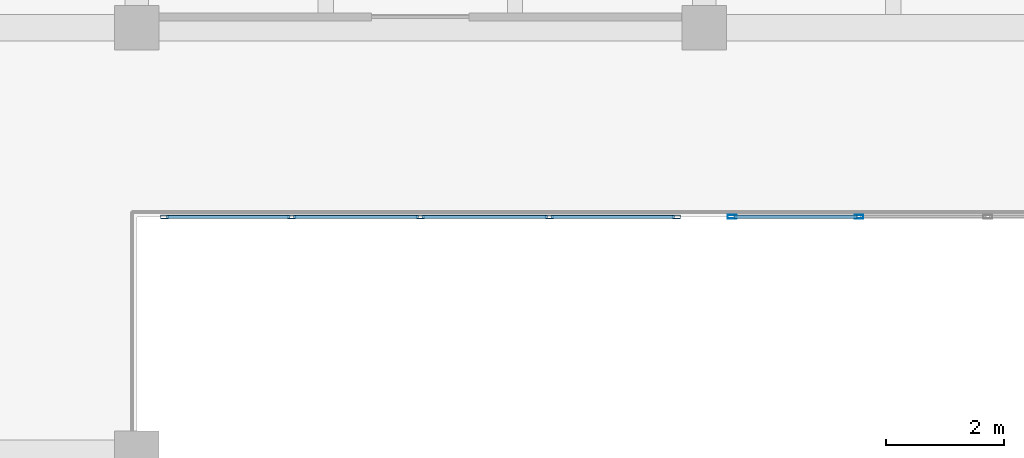
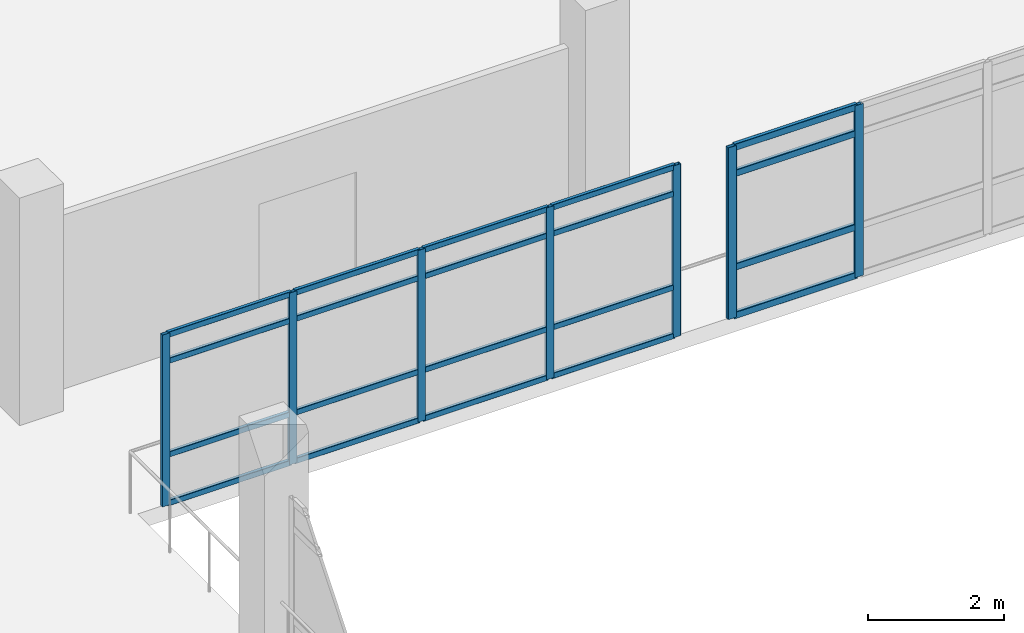
# One storey, part 97 of 180: 27 members, 2 elements without a shape of their own.
"""IFC4 building model written with IfcOpenShell, lengths in metres."""

from ifc_helpers import new_model, si_unit, direction, frame, origin, origin_2d, place, context, subcontext, project, spatial, hollow_rectangle, extrude, material, layer, layer_set, material_profile, profile_set, type_object, element, aggregate, save


model = new_model("IFC4")

# Units and contexts
model_context = context("Model", 3, precision=1e-05, world=origin(), true_north=direction((0.0, 1.0)))
body_context = subcontext(model_context, "Body", "Model", "MODEL_VIEW")
ifc_project = project(units=[si_unit("LENGTHUNIT", "METRE"), si_unit("AREAUNIT", "SQUARE_METRE"), si_unit("VOLUMEUNIT", "CUBIC_METRE"), si_unit("PLANEANGLEUNIT", "RADIAN"), si_unit("MASSUNIT", "GRAM", prefix="KILO")], contexts=[model_context])

# Site, building, storey
site_placement = place(None, origin())
site = spatial("IfcSite", under=ifc_project, at=site_placement, CompositionType="ELEMENT")
building_placement = place(site_placement, origin())
building = spatial("IfcBuilding", under=site, at=building_placement, Name="Asteropetra Specialist Clinic", CompositionType="ELEMENT")
storey_placement = place(building_placement, frame((0.0, 0.0, 4.419921875)))
storey = spatial("IfcBuildingStorey", under=building, at=storey_placement, Name="L01", CompositionType="ELEMENT", Elevation=4.419921875)

# Curtain wall, members
ifc_material_1 = material(Name="Aluminium and low-E glass", Category="aluminium")
ifc_layer_1 = layer(ifc_material_1, 0.179931640625)
ifc_layer_set_1 = layer_set([ifc_layer_1], Name="Aluminium and low-E glass")
curtain_wall_type_1 = type_object("IfcCurtainWallType", Name="CW-SYS-04", PredefinedType="USERDEFINED", material=ifc_layer_set_1)
curtain_wall_1_placement = place(storey_placement, origin())
curtain_wall_1 = element("IfcCurtainWall", 1, at=curtain_wall_1_placement, inside=storey, type_object=curtain_wall_type_1, Name="Curtain Wall CW-026", ObjectType="UNITISED CURTAIN WALL", PredefinedType="USERDEFINED")
ifc_material_2 = material(Name="Aluminium 6063-T6", Category="aluminium")
ifc_material_profile_1 = material_profile(ifc_material_2, hollow_rectangle(XDim=0.06005859375, YDim=0.135009765625, WallThickness=0.00341796875, InnerFilletRadius=0.00341796875, OuterFilletRadius=0.007080078125, at=origin_2d()), Name="MUL 135x60x3.5")
ifc_profile_set_1 = profile_set([ifc_material_profile_1], Name="Aluminium 6063-T6")
member_type_1 = type_object("IfcMemberType", Name="CWM-135x60", PredefinedType="MULLION", material=ifc_profile_set_1)
member_1_placement = place(storey_placement, frame((57.1298828125, 95.199951171875, 0.0), z_axis=(0.0, 0.0, 1.0), x_axis=(0.0, -1.0, 0.0)))
member_1 = element("IfcMember", 2, at=member_1_placement, type_object=member_type_1, Name="CW-026 mullion 1", PredefinedType="MULLION", context=body_context, shape_type="SweptSolid", body=[
    extrude(hollow_rectangle(XDim=0.06005859375, YDim=0.135009765625, WallThickness=0.00341796875, InnerFilletRadius=0.00341796875, OuterFilletRadius=0.007080078125, at=origin_2d()), origin(), (0.0, 0.0, 1.0), 3.080078125),
])
member_2_placement = place(storey_placement, frame((54.97998046875, 95.199951171875, 0.0), z_axis=(0.0, 0.0, 1.0), x_axis=(0.0, -1.0, 0.0)))
member_2 = element("IfcMember", 3, at=member_2_placement, type_object=member_type_1, Name="CW-026 mullion 2", PredefinedType="MULLION", context=body_context, shape_type="SweptSolid", body=[
    extrude(hollow_rectangle(XDim=0.06005859375, YDim=0.135009765625, WallThickness=0.00341796875, InnerFilletRadius=0.00341796875, OuterFilletRadius=0.007080078125, at=origin_2d()), origin(), (0.0, 0.0, 1.0), 3.080078125),
])
member_3_placement = place(storey_placement, frame((52.800048828125, 95.199951171875, 0.0), z_axis=(0.0, 0.0, 1.0), x_axis=(0.0, -1.0, 0.0)))
member_3 = element("IfcMember", 4, at=member_3_placement, type_object=member_type_1, Name="CW-026 mullion 3", PredefinedType="MULLION", context=body_context, shape_type="SweptSolid", body=[
    extrude(hollow_rectangle(XDim=0.06005859375, YDim=0.135009765625, WallThickness=0.00341796875, InnerFilletRadius=0.00341796875, OuterFilletRadius=0.007080078125, at=origin_2d()), origin(), (0.0, 0.0, 1.0), 3.080078125),
])
member_4_placement = place(storey_placement, frame((50.6201171875, 95.199951171875, 0.0), z_axis=(0.0, 0.0, 1.0), x_axis=(0.0, -1.0, 0.0)))
member_4 = element("IfcMember", 5, at=member_4_placement, type_object=member_type_1, Name="CW-026 mullion 4", PredefinedType="MULLION", context=body_context, shape_type="SweptSolid", body=[
    extrude(hollow_rectangle(XDim=0.06005859375, YDim=0.135009765625, WallThickness=0.00341796875, InnerFilletRadius=0.00341796875, OuterFilletRadius=0.007080078125, at=origin_2d()), origin(), (0.0, 0.0, 1.0), 3.080078125),
])
member_5_placement = place(storey_placement, frame((48.469970703125, 95.199951171875, 0.0), z_axis=(0.0, 0.0, 1.0), x_axis=(0.0, -1.0, 0.0)))
member_5 = element("IfcMember", 6, at=member_5_placement, type_object=member_type_1, Name="CW-026 mullion 5", PredefinedType="MULLION", context=body_context, shape_type="SweptSolid", body=[
    extrude(hollow_rectangle(XDim=0.06005859375, YDim=0.135009765625, WallThickness=0.00341796875, InnerFilletRadius=0.00341796875, OuterFilletRadius=0.007080078125, at=origin_2d()), origin(), (0.0, 0.0, 1.0), 3.080078125),
])

ifc_material_3 = material(Name="Aluminium and low-E glass", Category="aluminium")
ifc_layer_2 = layer(ifc_material_3, 0.14990234375)
ifc_layer_set_2 = layer_set([ifc_layer_2], Name="Aluminium and low-E glass")
curtain_wall_type_2 = type_object("IfcCurtainWallType", Name="CW-SYS-05", PredefinedType="USERDEFINED", material=ifc_layer_set_2)
curtain_wall_2_placement = place(storey_placement, origin())
curtain_wall_2 = element("IfcCurtainWall", 7, at=curtain_wall_2_placement, inside=storey, type_object=curtain_wall_type_2, Name="Curtain Wall CW-028", ObjectType="UNITISED CURTAIN WALL", PredefinedType="USERDEFINED")
ifc_material_4 = material(Name="Aluminium 6063-T6", Category="aluminium")
ifc_material_profile_2 = material_profile(ifc_material_4, hollow_rectangle(XDim=0.06494140625, YDim=0.14990234375, WallThickness=0.00390625, InnerFilletRadius=0.00390625, OuterFilletRadius=0.008056640625, at=origin_2d()), Name="MUL 150x65x4.0")
ifc_profile_set_2 = profile_set([ifc_material_profile_2], Name="Aluminium 6063-T6")
member_type_2 = type_object("IfcMemberType", Name="CWM-150x65", PredefinedType="MULLION", material=ifc_profile_set_2)
member_6_placement = place(storey_placement, frame((60.219970703125, 95.199951171875, 0.0), z_axis=(0.0, 0.0, 1.0), x_axis=(0.0, -1.0, 0.0)))
member_6 = element("IfcMember", 8, at=member_6_placement, type_object=member_type_2, Name="CW-028 mullion 4", PredefinedType="MULLION", context=body_context, shape_type="SweptSolid", body=[
    extrude(hollow_rectangle(XDim=0.06494140625, YDim=0.14990234375, WallThickness=0.00390625, InnerFilletRadius=0.00390625, OuterFilletRadius=0.008056640625, at=origin_2d()), origin(), (0.0, 0.0, 1.0), 3.080078125),
])
member_7_placement = place(storey_placement, frame((58.072509765625, 95.199951171875, 0.0), z_axis=(0.0, 0.0, 1.0), x_axis=(0.0, -1.0, 0.0)))
member_7 = element("IfcMember", 9, at=member_7_placement, type_object=member_type_2, Name="CW-028 mullion 5", PredefinedType="MULLION", context=body_context, shape_type="SweptSolid", body=[
    extrude(hollow_rectangle(XDim=0.06494140625, YDim=0.14990234375, WallThickness=0.00390625, InnerFilletRadius=0.00390625, OuterFilletRadius=0.008056640625, at=origin_2d()), origin(), (0.0, 0.0, 1.0), 3.080078125),
])

# Member
ifc_material_5 = material(Name="Aluminium 6063-T6", Category="aluminium")
ifc_material_profile_3 = material_profile(ifc_material_5, hollow_rectangle(XDim=0.06005859375, YDim=0.10009765625, WallThickness=0.00341796875, InnerFilletRadius=0.00341796875, OuterFilletRadius=0.007080078125, at=origin_2d()), Name="TRN 100x60x3.5")
ifc_profile_set_3 = profile_set([ifc_material_profile_3], Name="Aluminium 6063-T6")
member_type_3 = type_object("IfcMemberType", Name="CWT-100x60", PredefinedType="USERDEFINED", material=ifc_profile_set_3)
member_8_placement = place(storey_placement, frame((57.10009765625, 95.199951171875, 0.030029296875), z_axis=(-1.0, 0.0, 0.0), x_axis=(0.0, -1.0, 0.0)))
member_8 = element("IfcMember", 10, at=member_8_placement, type_object=member_type_3, Name="CW-026 transom 1.1", ObjectType="TRANSOM", PredefinedType="USERDEFINED", context=body_context, shape_type="SweptSolid", body=[
    extrude(hollow_rectangle(XDim=0.06005859375, YDim=0.10009765625, WallThickness=0.00341796875, InnerFilletRadius=0.00341796875, OuterFilletRadius=0.007080078125, at=origin_2d()), origin(), (0.0, 0.0, 1.0), 2.090087890625),
])

member_9_placement = place(storey_placement, frame((57.10009765625, 95.199951171875, 0.900146484375), z_axis=(-1.0, 0.0, 0.0), x_axis=(0.0, -1.0, 0.0)))
member_9 = element("IfcMember", 11, at=member_9_placement, type_object=member_type_3, Name="CW-026 transom 1.2", ObjectType="TRANSOM", PredefinedType="USERDEFINED", context=body_context, shape_type="SweptSolid", body=[
    extrude(hollow_rectangle(XDim=0.06005859375, YDim=0.10009765625, WallThickness=0.00341796875, InnerFilletRadius=0.00341796875, OuterFilletRadius=0.007080078125, at=origin_2d()), origin(), (0.0, 0.0, 1.0), 2.090087890625),
])

member_10_placement = place(storey_placement, frame((57.10009765625, 95.199951171875, 2.580078125), z_axis=(-1.0, 0.0, 0.0), x_axis=(0.0, -1.0, 0.0)))
member_10 = element("IfcMember", 12, at=member_10_placement, type_object=member_type_3, Name="CW-026 transom 1.3", ObjectType="TRANSOM", PredefinedType="USERDEFINED", context=body_context, shape_type="SweptSolid", body=[
    extrude(hollow_rectangle(XDim=0.06005859375, YDim=0.10009765625, WallThickness=0.00341796875, InnerFilletRadius=0.00341796875, OuterFilletRadius=0.007080078125, at=origin_2d()), origin(), (0.0, 0.0, 1.0), 2.090087890625),
])

member_11_placement = place(storey_placement, frame((57.10009765625, 95.199951171875, 3.050048828125), z_axis=(-1.0, 0.0, 0.0), x_axis=(0.0, -1.0, 0.0)))
member_11 = element("IfcMember", 13, at=member_11_placement, type_object=member_type_3, Name="CW-026 transom 1.4", ObjectType="TRANSOM", PredefinedType="USERDEFINED", context=body_context, shape_type="SweptSolid", body=[
    extrude(hollow_rectangle(XDim=0.06005859375, YDim=0.10009765625, WallThickness=0.00341796875, InnerFilletRadius=0.00341796875, OuterFilletRadius=0.007080078125, at=origin_2d()), origin(), (0.0, 0.0, 1.0), 2.090087890625),
])

member_12_placement = place(storey_placement, frame((54.949951171875, 95.199951171875, 0.030029296875), z_axis=(-1.0, 0.0, 0.0), x_axis=(0.0, -1.0, 0.0)))
member_12 = element("IfcMember", 14, at=member_12_placement, type_object=member_type_3, Name="CW-026 transom 2.1", ObjectType="TRANSOM", PredefinedType="USERDEFINED", context=body_context, shape_type="SweptSolid", body=[
    extrude(hollow_rectangle(XDim=0.06005859375, YDim=0.10009765625, WallThickness=0.00341796875, InnerFilletRadius=0.00341796875, OuterFilletRadius=0.007080078125, at=origin_2d()), origin(), (0.0, 0.0, 1.0), 2.119873046875),
])

member_13_placement = place(storey_placement, frame((54.949951171875, 95.199951171875, 0.900146484375), z_axis=(-1.0, 0.0, 0.0), x_axis=(0.0, -1.0, 0.0)))
member_13 = element("IfcMember", 15, at=member_13_placement, type_object=member_type_3, Name="CW-026 transom 2.2", ObjectType="TRANSOM", PredefinedType="USERDEFINED", context=body_context, shape_type="SweptSolid", body=[
    extrude(hollow_rectangle(XDim=0.06005859375, YDim=0.10009765625, WallThickness=0.00341796875, InnerFilletRadius=0.00341796875, OuterFilletRadius=0.007080078125, at=origin_2d()), origin(), (0.0, 0.0, 1.0), 2.119873046875),
])

member_14_placement = place(storey_placement, frame((54.949951171875, 95.199951171875, 2.580078125), z_axis=(-1.0, 0.0, 0.0), x_axis=(0.0, -1.0, 0.0)))
member_14 = element("IfcMember", 16, at=member_14_placement, type_object=member_type_3, Name="CW-026 transom 2.3", ObjectType="TRANSOM", PredefinedType="USERDEFINED", context=body_context, shape_type="SweptSolid", body=[
    extrude(hollow_rectangle(XDim=0.06005859375, YDim=0.10009765625, WallThickness=0.00341796875, InnerFilletRadius=0.00341796875, OuterFilletRadius=0.007080078125, at=origin_2d()), origin(), (0.0, 0.0, 1.0), 2.119873046875),
])

member_15_placement = place(storey_placement, frame((54.949951171875, 95.199951171875, 3.050048828125), z_axis=(-1.0, 0.0, 0.0), x_axis=(0.0, -1.0, 0.0)))
member_15 = element("IfcMember", 17, at=member_15_placement, type_object=member_type_3, Name="CW-026 transom 2.4", ObjectType="TRANSOM", PredefinedType="USERDEFINED", context=body_context, shape_type="SweptSolid", body=[
    extrude(hollow_rectangle(XDim=0.06005859375, YDim=0.10009765625, WallThickness=0.00341796875, InnerFilletRadius=0.00341796875, OuterFilletRadius=0.007080078125, at=origin_2d()), origin(), (0.0, 0.0, 1.0), 2.119873046875),
])

member_16_placement = place(storey_placement, frame((52.77001953125, 95.199951171875, 0.030029296875), z_axis=(-1.0, 0.0, 0.0), x_axis=(0.0, -1.0, 0.0)))
member_16 = element("IfcMember", 18, at=member_16_placement, type_object=member_type_3, Name="CW-026 transom 3.1", ObjectType="TRANSOM", PredefinedType="USERDEFINED", context=body_context, shape_type="SweptSolid", body=[
    extrude(hollow_rectangle(XDim=0.06005859375, YDim=0.10009765625, WallThickness=0.00341796875, InnerFilletRadius=0.00341796875, OuterFilletRadius=0.007080078125, at=origin_2d()), origin(), (0.0, 0.0, 1.0), 2.1201171875),
])

member_17_placement = place(storey_placement, frame((52.77001953125, 95.199951171875, 0.900146484375), z_axis=(-1.0, 0.0, 0.0), x_axis=(0.0, -1.0, 0.0)))
member_17 = element("IfcMember", 19, at=member_17_placement, type_object=member_type_3, Name="CW-026 transom 3.2", ObjectType="TRANSOM", PredefinedType="USERDEFINED", context=body_context, shape_type="SweptSolid", body=[
    extrude(hollow_rectangle(XDim=0.06005859375, YDim=0.10009765625, WallThickness=0.00341796875, InnerFilletRadius=0.00341796875, OuterFilletRadius=0.007080078125, at=origin_2d()), origin(), (0.0, 0.0, 1.0), 2.1201171875),
])

member_18_placement = place(storey_placement, frame((52.77001953125, 95.199951171875, 2.580078125), z_axis=(-1.0, 0.0, 0.0), x_axis=(0.0, -1.0, 0.0)))
member_18 = element("IfcMember", 20, at=member_18_placement, type_object=member_type_3, Name="CW-026 transom 3.3", ObjectType="TRANSOM", PredefinedType="USERDEFINED", context=body_context, shape_type="SweptSolid", body=[
    extrude(hollow_rectangle(XDim=0.06005859375, YDim=0.10009765625, WallThickness=0.00341796875, InnerFilletRadius=0.00341796875, OuterFilletRadius=0.007080078125, at=origin_2d()), origin(), (0.0, 0.0, 1.0), 2.1201171875),
])

member_19_placement = place(storey_placement, frame((52.77001953125, 95.199951171875, 3.050048828125), z_axis=(-1.0, 0.0, 0.0), x_axis=(0.0, -1.0, 0.0)))
member_19 = element("IfcMember", 21, at=member_19_placement, type_object=member_type_3, Name="CW-026 transom 3.4", ObjectType="TRANSOM", PredefinedType="USERDEFINED", context=body_context, shape_type="SweptSolid", body=[
    extrude(hollow_rectangle(XDim=0.06005859375, YDim=0.10009765625, WallThickness=0.00341796875, InnerFilletRadius=0.00341796875, OuterFilletRadius=0.007080078125, at=origin_2d()), origin(), (0.0, 0.0, 1.0), 2.1201171875),
])

member_20_placement = place(storey_placement, frame((50.590087890625, 95.199951171875, 0.030029296875), z_axis=(-1.0, 0.0, 0.0), x_axis=(0.0, -1.0, 0.0)))
member_20 = element("IfcMember", 22, at=member_20_placement, type_object=member_type_3, Name="CW-026 transom 4.1", ObjectType="TRANSOM", PredefinedType="USERDEFINED", context=body_context, shape_type="SweptSolid", body=[
    extrude(hollow_rectangle(XDim=0.06005859375, YDim=0.10009765625, WallThickness=0.00341796875, InnerFilletRadius=0.00341796875, OuterFilletRadius=0.007080078125, at=origin_2d()), origin(), (0.0, 0.0, 1.0), 2.090087890625),
])

member_21_placement = place(storey_placement, frame((50.590087890625, 95.199951171875, 0.900146484375), z_axis=(-1.0, 0.0, 0.0), x_axis=(0.0, -1.0, 0.0)))
member_21 = element("IfcMember", 23, at=member_21_placement, type_object=member_type_3, Name="CW-026 transom 4.2", ObjectType="TRANSOM", PredefinedType="USERDEFINED", context=body_context, shape_type="SweptSolid", body=[
    extrude(hollow_rectangle(XDim=0.06005859375, YDim=0.10009765625, WallThickness=0.00341796875, InnerFilletRadius=0.00341796875, OuterFilletRadius=0.007080078125, at=origin_2d()), origin(), (0.0, 0.0, 1.0), 2.090087890625),
])

member_22_placement = place(storey_placement, frame((50.590087890625, 95.199951171875, 2.580078125), z_axis=(-1.0, 0.0, 0.0), x_axis=(0.0, -1.0, 0.0)))
member_22 = element("IfcMember", 24, at=member_22_placement, type_object=member_type_3, Name="CW-026 transom 4.3", ObjectType="TRANSOM", PredefinedType="USERDEFINED", context=body_context, shape_type="SweptSolid", body=[
    extrude(hollow_rectangle(XDim=0.06005859375, YDim=0.10009765625, WallThickness=0.00341796875, InnerFilletRadius=0.00341796875, OuterFilletRadius=0.007080078125, at=origin_2d()), origin(), (0.0, 0.0, 1.0), 2.090087890625),
])

member_23_placement = place(storey_placement, frame((50.590087890625, 95.199951171875, 3.050048828125), z_axis=(-1.0, 0.0, 0.0), x_axis=(0.0, -1.0, 0.0)))
member_23 = element("IfcMember", 25, at=member_23_placement, type_object=member_type_3, Name="CW-026 transom 4.4", ObjectType="TRANSOM", PredefinedType="USERDEFINED", context=body_context, shape_type="SweptSolid", body=[
    extrude(hollow_rectangle(XDim=0.06005859375, YDim=0.10009765625, WallThickness=0.00341796875, InnerFilletRadius=0.00341796875, OuterFilletRadius=0.007080078125, at=origin_2d()), origin(), (0.0, 0.0, 1.0), 2.090087890625),
])

aggregate(curtain_wall_1, [member_1, member_2, member_3, member_4, member_5, member_8, member_9, member_10, member_11, member_12, member_13, member_14, member_15, member_16, member_17, member_18, member_19, member_20, member_21, member_22, member_23])

ifc_material_6 = material(Name="Aluminium 6063-T6", Category="aluminium")
ifc_material_profile_4 = material_profile(ifc_material_6, hollow_rectangle(XDim=0.06494140625, YDim=0.1201171875, WallThickness=0.00390625, InnerFilletRadius=0.00390625, OuterFilletRadius=0.008056640625, at=origin_2d()), Name="TRN 120x65x4.0")
ifc_profile_set_4 = profile_set([ifc_material_profile_4], Name="Aluminium 6063-T6")
member_type_4 = type_object("IfcMemberType", Name="CWT-120x65", PredefinedType="USERDEFINED", material=ifc_profile_set_4)
member_24_placement = place(storey_placement, frame((60.1875, 95.199951171875, 0.032470703125), z_axis=(-1.0, 0.0, 0.0), x_axis=(0.0, -1.0, 0.0)))
member_24 = element("IfcMember", 26, at=member_24_placement, type_object=member_type_4, Name="CW-028 transom 4.1", ObjectType="TRANSOM", PredefinedType="USERDEFINED", context=body_context, shape_type="SweptSolid", body=[
    extrude(hollow_rectangle(XDim=0.06494140625, YDim=0.1201171875, WallThickness=0.00390625, InnerFilletRadius=0.00390625, OuterFilletRadius=0.008056640625, at=origin_2d()), origin(), (0.0, 0.0, 1.0), 2.08251953125),
])

member_25_placement = place(storey_placement, frame((60.1875, 95.199951171875, 0.900146484375), z_axis=(-1.0, 0.0, 0.0), x_axis=(0.0, -1.0, 0.0)))
member_25 = element("IfcMember", 27, at=member_25_placement, type_object=member_type_4, Name="CW-028 transom 4.2", ObjectType="TRANSOM", PredefinedType="USERDEFINED", context=body_context, shape_type="SweptSolid", body=[
    extrude(hollow_rectangle(XDim=0.06494140625, YDim=0.1201171875, WallThickness=0.00390625, InnerFilletRadius=0.00390625, OuterFilletRadius=0.008056640625, at=origin_2d()), origin(), (0.0, 0.0, 1.0), 2.08251953125),
])

member_26_placement = place(storey_placement, frame((60.1875, 95.199951171875, 2.580078125), z_axis=(-1.0, 0.0, 0.0), x_axis=(0.0, -1.0, 0.0)))
member_26 = element("IfcMember", 28, at=member_26_placement, type_object=member_type_4, Name="CW-028 transom 4.3", ObjectType="TRANSOM", PredefinedType="USERDEFINED", context=body_context, shape_type="SweptSolid", body=[
    extrude(hollow_rectangle(XDim=0.06494140625, YDim=0.1201171875, WallThickness=0.00390625, InnerFilletRadius=0.00390625, OuterFilletRadius=0.008056640625, at=origin_2d()), origin(), (0.0, 0.0, 1.0), 2.08251953125),
])

member_27_placement = place(storey_placement, frame((60.1875, 95.199951171875, 3.047607421875), z_axis=(-1.0, 0.0, 0.0), x_axis=(0.0, -1.0, 0.0)))
member_27 = element("IfcMember", 29, at=member_27_placement, type_object=member_type_4, Name="CW-028 transom 4.4", ObjectType="TRANSOM", PredefinedType="USERDEFINED", context=body_context, shape_type="SweptSolid", body=[
    extrude(hollow_rectangle(XDim=0.06494140625, YDim=0.1201171875, WallThickness=0.00390625, InnerFilletRadius=0.00390625, OuterFilletRadius=0.008056640625, at=origin_2d()), origin(), (0.0, 0.0, 1.0), 2.08251953125),
])

aggregate(curtain_wall_2, [member_6, member_7, member_24, member_25, member_26, member_27])

save(model, "model.ifc")
